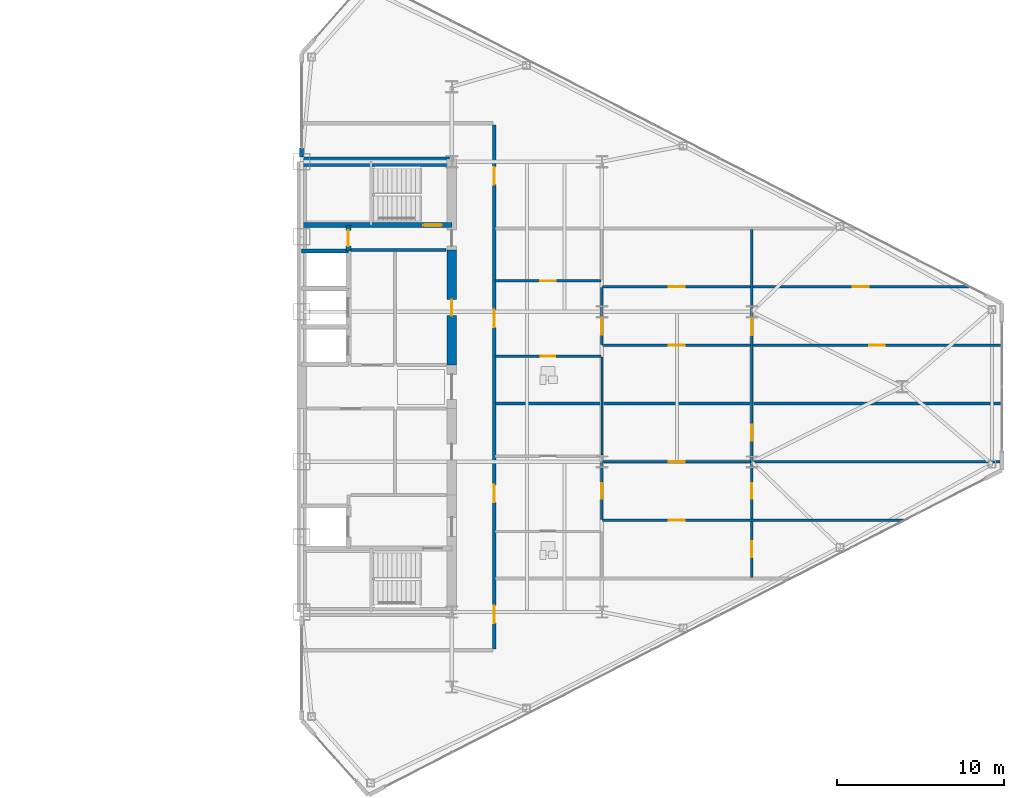
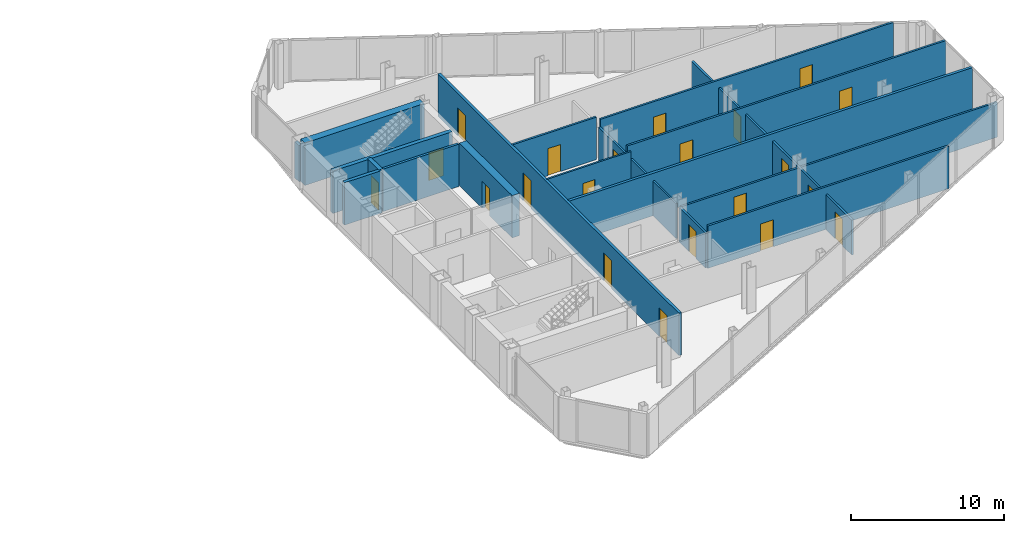
# One storey, part 19 of 23: 21 doors, 19 walls, 21 openings.
"""IFC4 building model written with IfcOpenShell, lengths in metres."""

from ifc_helpers import new_model, si_unit, direction, frame, frame_2d, origin, place, context, subcontext, project, spatial, rectangle, extrude, source, transform, mapped, material, layer, layer_set, type_object, type_shapes, element, fill, save


model = new_model("IFC4")

# Units and contexts
model_context = context("Model", 3, precision=1e-05, world=origin(), true_north=direction((0.0, 1.0)))
body_context = subcontext(model_context, "Body", "Model", "MODEL_VIEW")
ifc_project = project(units=[si_unit("LENGTHUNIT", "METRE"), si_unit("AREAUNIT", "SQUARE_METRE"), si_unit("VOLUMEUNIT", "CUBIC_METRE"), si_unit("PLANEANGLEUNIT", "RADIAN"), si_unit("MASSUNIT", "GRAM", prefix="KILO")], contexts=[model_context])

# Site, building, storey
site_placement = place(None, origin())
site = spatial("IfcSite", under=ifc_project, at=site_placement, CompositionType="ELEMENT")
building_placement = place(site_placement, origin())
building = spatial("IfcBuilding", under=site, at=building_placement, Name="Seokmaru Belvedere", CompositionType="ELEMENT")
storey_placement = place(building_placement, frame((0.0, 0.0, 144.0)))
storey = spatial("IfcBuildingStorey", under=building, at=storey_placement, Name="L38", CompositionType="ELEMENT", Elevation=144.0)

# Wall, opening, door
ifc_material_1 = material(Name="Fire-Rated Gypsum Shaftwall")
ifc_layer_1 = layer(ifc_material_1, 0.14990234375)
ifc_layer_set_1 = layer_set([ifc_layer_1], Name="Fire-Rated Gypsum Shaftwall")
wall_type_1 = type_object("IfcWallType", Name="Apartment Fire-Acoustic Room Partition 150", PredefinedType="PARTITIONING", material=ifc_layer_set_1)
wall_1_placement = place(storey_placement, frame((45.550048828125, -8.0, 0.0), z_axis=(0.0, 0.0, 1.0), x_axis=(1.0, 0.0, 0.0)))
wall_1 = element("IfcWall", 1, at=wall_1_placement, inside=storey, type_object=wall_type_1, Name="L38 Interior Partition 011", PredefinedType="PARTITIONING", context=body_context, shape_type="SweptSolid", body=[
    extrude(rectangle(XDim=18.138916015625, YDim=0.14990234375, at=frame_2d((9.0693359375, 0.0))), origin(), (0.0, 0.0, 1.0), 3.3798828125),
])
opening_1_placement = place(wall_1_placement, frame((3.97509765625, 0.0, 0.0)))
opening_1 = element("IfcOpeningElement", 2, at=opening_1_placement, cuts=wall_1, Name="Opening D05", PredefinedType="OPENING", context=body_context, shape_type="SweptSolid", body=[
    extrude(rectangle(XDim=0.949951171875, YDim=2.14990234375, at=frame_2d((0.47509765625, 1.074951171875))), frame((0.0, 0.0849609375, 0.0), z_axis=(0.0, -1.0, 0.0), x_axis=(1.0, 0.0, 0.0)), (0.0, 0.0, 1.0), 0.169921875),
])
ifc_material_2 = material(Name="Engineered White Oak Timber", Category="wood")
door_type_1 = type_object("IfcDoorType", Name="Apartment Interior Fire-Rated Oak Door 950x2150", OperationType="NOTDEFINED", PredefinedType="DOOR", material=ifc_material_2)
shared_shape_1 = source(origin(), body_context, "Body", "SweptSolid", [
    extrude(rectangle(XDim=0.949951171875, YDim=2.14990234375, at=frame_2d((0.47509765625, 1.074951171875))), frame((0.0, 0.02490234375, 0.0), z_axis=(0.0, -1.0, 0.0), x_axis=(1.0, 0.0, 0.0)), (0.0, 0.0, 1.0), 0.050048828125),
])
type_shapes(door_type_1, [shared_shape_1])
door_1_placement = place(opening_1_placement, origin())
door_1 = element("IfcDoor", 3, at=door_1_placement, inside=storey, type_object=door_type_1, Name="L38 Interior Door 042", OperationType="SINGLE_SWING_RIGHT", OverallHeight=2.14990234375, OverallWidth=0.949951171875, PredefinedType="DOOR", context=body_context, shape_type="MappedRepresentation", body=[
    mapped(shared_shape_1, transform((0.0, 0.0, 0.0), scale=1.0)),
])
fill(opening_1, door_1)

wall_2_placement = place(storey_placement, frame((45.550048828125, -4.5, 0.0), z_axis=(0.0, 0.0, 1.0), x_axis=(1.0, 0.0, 0.0)))
wall_2 = element("IfcWall", 4, at=wall_2_placement, inside=storey, type_object=wall_type_1, Name="L38 Interior Partition 013", PredefinedType="PARTITIONING", context=body_context, shape_type="SweptSolid", body=[
    extrude(rectangle(XDim=23.824951171875, YDim=0.14990234375, at=frame_2d((11.91259765625, 0.0))), origin(), (0.0, 0.0, 1.0), 2.780029296875),
])
opening_2_placement = place(wall_2_placement, frame((3.97509765625, 0.0, 0.0)))
opening_2 = element("IfcOpeningElement", 5, at=opening_2_placement, cuts=wall_2, Name="Opening D05", PredefinedType="OPENING", context=body_context, shape_type="SweptSolid", body=[
    extrude(rectangle(XDim=0.949951171875, YDim=2.14990234375, at=frame_2d((0.47509765625, 1.074951171875))), frame((0.0, 0.0849609375, 0.0), z_axis=(0.0, -1.0, 0.0), x_axis=(1.0, 0.0, 0.0)), (0.0, 0.0, 1.0), 0.169921875),
])
door_2_placement = place(opening_2_placement, origin())
door_2 = element("IfcDoor", 6, at=door_2_placement, inside=storey, type_object=door_type_1, Name="L38 Interior Door 043", OperationType="SINGLE_SWING_LEFT", OverallHeight=2.14990234375, OverallWidth=0.949951171875, PredefinedType="DOOR", context=body_context, shape_type="MappedRepresentation", body=[
    mapped(shared_shape_1, transform((0.0, 0.0, 0.0), scale=1.0)),
])
fill(opening_2, door_2)

# Wall, openings, doors
wall_3_placement = place(storey_placement, frame((45.550048828125, 2.5, 0.0), z_axis=(0.0, 0.0, 1.0), x_axis=(1.0, 0.0, 0.0)))
wall_3 = element("IfcWall", 7, at=wall_3_placement, inside=storey, type_object=wall_type_1, Name="L38 Interior Partition 020", PredefinedType="PARTITIONING", context=body_context, shape_type="SweptSolid", body=[
    extrude(rectangle(XDim=23.98486328125, YDim=0.14990234375, at=frame_2d((11.992431640625, 0.0))), origin(), (0.0, 0.0, 1.0), 3.3798828125),
])
opening_3_placement = place(wall_3_placement, frame((3.97509765625, 0.0, 0.0)))
opening_3 = element("IfcOpeningElement", 8, at=opening_3_placement, cuts=wall_3, Name="Opening D05", PredefinedType="OPENING", context=body_context, shape_type="SweptSolid", body=[
    extrude(rectangle(XDim=0.949951171875, YDim=2.14990234375, at=frame_2d((0.47509765625, 1.074951171875))), frame((0.0, 0.0849609375, 0.0), z_axis=(0.0, -1.0, 0.0), x_axis=(1.0, 0.0, 0.0)), (0.0, 0.0, 1.0), 0.169921875),
])
opening_4_placement = place(wall_3_placement, frame((15.97509765625, 0.0, 0.0)))
opening_4 = element("IfcOpeningElement", 9, at=opening_4_placement, cuts=wall_3, Name="Opening D05", PredefinedType="OPENING", context=body_context, shape_type="SweptSolid", body=[
    extrude(rectangle(XDim=0.949951171875, YDim=2.14990234375, at=frame_2d((0.47509765625, 1.074951171875))), frame((0.0, 0.0849609375, 0.0), z_axis=(0.0, -1.0, 0.0), x_axis=(1.0, 0.0, 0.0)), (0.0, 0.0, 1.0), 0.169921875),
])
door_3_placement = place(opening_3_placement, origin())
door_3 = element("IfcDoor", 10, at=door_3_placement, inside=storey, type_object=door_type_1, Name="L38 Interior Door 051", OperationType="SINGLE_SWING_RIGHT", OverallHeight=2.14990234375, OverallWidth=0.949951171875, PredefinedType="DOOR", context=body_context, shape_type="MappedRepresentation", body=[
    mapped(shared_shape_1, transform((0.0, 0.0, 0.0), scale=1.0)),
])
fill(opening_3, door_3)
door_4_placement = place(opening_4_placement, origin())
door_4 = element("IfcDoor", 11, at=door_4_placement, inside=storey, type_object=door_type_1, Name="L38 Interior Door 053", OperationType="SINGLE_SWING_LEFT", OverallHeight=2.14990234375, OverallWidth=0.949951171875, PredefinedType="DOOR", context=body_context, shape_type="MappedRepresentation", body=[
    mapped(shared_shape_1, transform((0.0, 0.0, 0.0), scale=1.0)),
])
fill(opening_4, door_4)

wall_4_placement = place(storey_placement, frame((45.550048828125, 6.0, 0.0), z_axis=(0.0, 0.0, 1.0), x_axis=(1.0, 0.0, 0.0)))
wall_4 = element("IfcWall", 12, at=wall_4_placement, inside=storey, type_object=wall_type_1, Name="L38 Interior Partition 023", PredefinedType="PARTITIONING", context=body_context, shape_type="SweptSolid", body=[
    extrude(rectangle(XDim=22.035888671875, YDim=0.14990234375, at=frame_2d((11.01806640625, 0.0))), origin(), (0.0, 0.0, 1.0), 3.3798828125),
])
opening_5_placement = place(wall_4_placement, frame((3.97509765625, 0.0, 0.0)))
opening_5 = element("IfcOpeningElement", 13, at=opening_5_placement, cuts=wall_4, Name="Opening D05", PredefinedType="OPENING", context=body_context, shape_type="SweptSolid", body=[
    extrude(rectangle(XDim=0.949951171875, YDim=2.14990234375, at=frame_2d((0.47509765625, 1.074951171875))), frame((0.0, 0.0849609375, 0.0), z_axis=(0.0, -1.0, 0.0), x_axis=(1.0, 0.0, 0.0)), (0.0, 0.0, 1.0), 0.169921875),
])
opening_6_placement = place(wall_4_placement, frame((15.000732421875, 0.0, 0.0)))
opening_6 = element("IfcOpeningElement", 14, at=opening_6_placement, cuts=wall_4, Name="Opening D05", PredefinedType="OPENING", context=body_context, shape_type="SweptSolid", body=[
    extrude(rectangle(XDim=0.949951171875, YDim=2.14990234375, at=frame_2d((0.47509765625, 1.074951171875))), frame((0.0, 0.0849609375, 0.0), z_axis=(0.0, -1.0, 0.0), x_axis=(1.0, 0.0, 0.0)), (0.0, 0.0, 1.0), 0.169921875),
])
door_5_placement = place(opening_5_placement, origin())
door_5 = element("IfcDoor", 15, at=door_5_placement, inside=storey, type_object=door_type_1, Name="L38 Interior Door 052", OperationType="SINGLE_SWING_LEFT", OverallHeight=2.14990234375, OverallWidth=0.949951171875, PredefinedType="DOOR", context=body_context, shape_type="MappedRepresentation", body=[
    mapped(shared_shape_1, transform((0.0, 0.0, 0.0), scale=1.0)),
])
fill(opening_5, door_5)
door_6_placement = place(opening_6_placement, origin())
door_6 = element("IfcDoor", 16, at=door_6_placement, inside=storey, type_object=door_type_1, Name="L38 Interior Door 054", OperationType="SINGLE_SWING_LEFT", OverallHeight=2.14990234375, OverallWidth=0.949951171875, PredefinedType="DOOR", context=body_context, shape_type="MappedRepresentation", body=[
    mapped(shared_shape_1, transform((0.0, 0.0, 0.0), scale=1.0)),
])
fill(opening_6, door_6)

# Wall, opening, door
wall_5_placement = place(storey_placement, frame((39.10009765625, 6.35009765625, 0.0), z_axis=(0.0, 0.0, 1.0), x_axis=(1.0, 0.0, 0.0)))
wall_5 = element("IfcWall", 17, at=wall_5_placement, inside=storey, type_object=wall_type_1, Name="L38 Interior Partition 024", PredefinedType="PARTITIONING", context=body_context, shape_type="SweptSolid", body=[
    extrude(rectangle(XDim=6.349853515625, YDim=0.14990234375, at=frame_2d((3.1748046875, 0.0))), origin(), (0.0, 0.0, 1.0), 3.3798828125),
])
opening_7_placement = place(wall_5_placement, frame((2.699951171875, 0.0, 0.0)))
opening_7 = element("IfcOpeningElement", 18, at=opening_7_placement, cuts=wall_5, Name="Opening D05", PredefinedType="OPENING", context=body_context, shape_type="SweptSolid", body=[
    extrude(rectangle(XDim=0.949951171875, YDim=2.14990234375, at=frame_2d((0.47509765625, 1.074951171875))), frame((0.0, 0.0849609375, 0.0), z_axis=(0.0, -1.0, 0.0), x_axis=(1.0, 0.0, 0.0)), (0.0, 0.0, 1.0), 0.169921875),
])
door_7_placement = place(opening_7_placement, origin())
door_7 = element("IfcDoor", 19, at=door_7_placement, inside=storey, type_object=door_type_1, Name="L38 Interior Door 048", OperationType="SINGLE_SWING_RIGHT", OverallHeight=2.14990234375, OverallWidth=0.949951171875, PredefinedType="DOOR", context=body_context, shape_type="MappedRepresentation", body=[
    mapped(shared_shape_1, transform((0.0, 0.0, 0.0), scale=1.0)),
])
fill(opening_7, door_7)

wall_6_placement = place(storey_placement, frame((45.5, -7.949951171875, 0.0), z_axis=(0.0, 0.0, 1.0), x_axis=(0.0, 1.0, 0.0)))
wall_6 = element("IfcWall", 20, at=wall_6_placement, inside=storey, type_object=wall_type_1, Name="L38 Interior Partition 045", PredefinedType="PARTITIONING", context=body_context, shape_type="SweptSolid", body=[
    extrude(rectangle(XDim=3.39990234375, YDim=0.14990234375, at=frame_2d((1.699951171875, 0.0))), origin(), (0.0, 0.0, 1.0), 2.780029296875),
])
opening_8_placement = place(wall_6_placement, frame((1.22509765625, 0.0, 0.0)))
opening_8 = element("IfcOpeningElement", 21, at=opening_8_placement, cuts=wall_6, Name="Opening D05", PredefinedType="OPENING", context=body_context, shape_type="SweptSolid", body=[
    extrude(rectangle(XDim=0.949951171875, YDim=2.14990234375, at=frame_2d((0.47509765625, 1.074951171875))), frame((0.0, 0.0849609375, 0.0), z_axis=(0.0, -1.0, 0.0), x_axis=(1.0, 0.0, 0.0)), (0.0, 0.0, 1.0), 0.169921875),
])
door_8_placement = place(opening_8_placement, origin())
door_8 = element("IfcDoor", 22, at=door_8_placement, inside=storey, type_object=door_type_1, Name="L38 Interior Door 040", OperationType="SINGLE_SWING_LEFT", OverallHeight=2.14990234375, OverallWidth=0.949951171875, PredefinedType="DOOR", context=body_context, shape_type="MappedRepresentation", body=[
    mapped(shared_shape_1, transform((0.0, 0.0, 0.0), scale=1.0)),
])
fill(opening_8, door_8)

wall_7_placement = place(storey_placement, frame((45.5, 2.550048828125, 0.0), z_axis=(0.0, 0.0, 1.0), x_axis=(0.0, 1.0, 0.0)))
wall_7 = element("IfcWall", 23, at=wall_7_placement, inside=storey, type_object=wall_type_1, Name="L38 Interior Partition 047", PredefinedType="PARTITIONING", context=body_context, shape_type="SweptSolid", body=[
    extrude(rectangle(XDim=3.39990234375, YDim=0.14990234375, at=frame_2d((1.699951171875, 0.0))), origin(), (0.0, 0.0, 1.0), 2.780029296875),
])
opening_9_placement = place(wall_7_placement, frame((0.5859375, 0.0, 0.0)))
opening_9 = element("IfcOpeningElement", 24, at=opening_9_placement, cuts=wall_7, Name="Opening D05", PredefinedType="OPENING", context=body_context, shape_type="SweptSolid", body=[
    extrude(rectangle(XDim=0.949951171875, YDim=2.14990234375, at=frame_2d((0.47509765625, 1.074951171875))), frame((0.0, 0.0849609375, 0.0), z_axis=(0.0, -1.0, 0.0), x_axis=(1.0, 0.0, 0.0)), (0.0, 0.0, 1.0), 0.169921875),
])
door_9_placement = place(opening_9_placement, origin())
door_9 = element("IfcDoor", 25, at=door_9_placement, inside=storey, type_object=door_type_1, Name="L38 Interior Door 049", OperationType="SINGLE_SWING_LEFT", OverallHeight=2.14990234375, OverallWidth=0.949951171875, PredefinedType="DOOR", context=body_context, shape_type="MappedRepresentation", body=[
    mapped(shared_shape_1, transform((0.0, 0.0, 0.0), scale=1.0)),
])
fill(opening_9, door_9)

# Wall, openings, doors
wall_8_placement = place(storey_placement, frame((54.5, -11.449951171875, 0.0), z_axis=(0.0, 0.0, 1.0), x_axis=(0.0, 1.0, 0.0)))
wall_8 = element("IfcWall", 26, at=wall_8_placement, inside=storey, type_object=wall_type_1, Name="L38 Interior Partition 049", PredefinedType="PARTITIONING", context=body_context, shape_type="SweptSolid", body=[
    extrude(rectangle(XDim=20.89990234375, YDim=0.14990234375, at=frame_2d((10.449951171875, 0.0))), origin(), (0.0, 0.0, 1.0), 2.780029296875),
])
opening_10_placement = place(wall_8_placement, frame((4.72509765625, 0.0, 0.0)))
opening_10 = element("IfcOpeningElement", 27, at=opening_10_placement, cuts=wall_8, Name="Opening D05", PredefinedType="OPENING", context=body_context, shape_type="SweptSolid", body=[
    extrude(rectangle(XDim=0.949951171875, YDim=2.14990234375, at=frame_2d((0.47509765625, 1.074951171875))), frame((0.0, 0.0849609375, 0.0), z_axis=(0.0, -1.0, 0.0), x_axis=(1.0, 0.0, 0.0)), (0.0, 0.0, 1.0), 0.169921875),
])
opening_11_placement = place(wall_8_placement, frame((1.22509765625, 0.0, 0.0)))
opening_11 = element("IfcOpeningElement", 28, at=opening_11_placement, cuts=wall_8, Name="Opening D05", PredefinedType="OPENING", context=body_context, shape_type="SweptSolid", body=[
    extrude(rectangle(XDim=0.949951171875, YDim=2.14990234375, at=frame_2d((0.47509765625, 1.074951171875))), frame((0.0, 0.0849609375, 0.0), z_axis=(0.0, -1.0, 0.0), x_axis=(1.0, 0.0, 0.0)), (0.0, 0.0, 1.0), 0.169921875),
])
opening_12_placement = place(wall_8_placement, frame((8.22509765625, 0.0, 0.0)))
opening_12 = element("IfcOpeningElement", 29, at=opening_12_placement, cuts=wall_8, Name="Opening D05", PredefinedType="OPENING", context=body_context, shape_type="SweptSolid", body=[
    extrude(rectangle(XDim=0.949951171875, YDim=2.14990234375, at=frame_2d((0.47509765625, 1.074951171875))), frame((0.0, 0.0849609375, 0.0), z_axis=(0.0, -1.0, 0.0), x_axis=(1.0, 0.0, 0.0)), (0.0, 0.0, 1.0), 0.169921875),
])
opening_13_placement = place(wall_8_placement, frame((14.55224609375, 0.0, 0.0)))
opening_13 = element("IfcOpeningElement", 30, at=opening_13_placement, cuts=wall_8, Name="Opening D05", PredefinedType="OPENING", context=body_context, shape_type="SweptSolid", body=[
    extrude(rectangle(XDim=0.949951171875, YDim=2.14990234375, at=frame_2d((0.47509765625, 1.074951171875))), frame((0.0, 0.0849609375, 0.0), z_axis=(0.0, -1.0, 0.0), x_axis=(1.0, 0.0, 0.0)), (0.0, 0.0, 1.0), 0.169921875),
])
door_10_placement = place(opening_10_placement, origin())
door_10 = element("IfcDoor", 31, at=door_10_placement, inside=storey, type_object=door_type_1, Name="L38 Interior Door 041", OperationType="SINGLE_SWING_RIGHT", OverallHeight=2.14990234375, OverallWidth=0.949951171875, PredefinedType="DOOR", context=body_context, shape_type="MappedRepresentation", body=[
    mapped(shared_shape_1, transform((0.0, 0.0, 0.0), scale=1.0)),
])
fill(opening_10, door_10)
door_11_placement = place(opening_11_placement, origin())
door_11 = element("IfcDoor", 32, at=door_11_placement, inside=storey, type_object=door_type_1, Name="L38 Interior Door 044", OperationType="SINGLE_SWING_LEFT", OverallHeight=2.14990234375, OverallWidth=0.949951171875, PredefinedType="DOOR", context=body_context, shape_type="MappedRepresentation", body=[
    mapped(shared_shape_1, transform((0.0, 0.0, 0.0), scale=1.0)),
])
fill(opening_11, door_11)
door_12_placement = place(opening_12_placement, origin())
door_12 = element("IfcDoor", 33, at=door_12_placement, inside=storey, type_object=door_type_1, Name="L38 Interior Door 045", OperationType="SINGLE_SWING_RIGHT", OverallHeight=2.14990234375, OverallWidth=0.949951171875, PredefinedType="DOOR", context=body_context, shape_type="MappedRepresentation", body=[
    mapped(shared_shape_1, transform((0.0, 0.0, 0.0), scale=1.0)),
])
fill(opening_12, door_12)
door_13_placement = place(opening_13_placement, origin())
door_13 = element("IfcDoor", 34, at=door_13_placement, inside=storey, type_object=door_type_1, Name="L38 Interior Door 050", OperationType="SINGLE_SWING_RIGHT", OverallHeight=2.14990234375, OverallWidth=0.949951171875, PredefinedType="DOOR", context=body_context, shape_type="MappedRepresentation", body=[
    mapped(shared_shape_1, transform((0.0, 0.0, 0.0), scale=1.0)),
])
fill(opening_13, door_13)

# Walls
ifc_layer_2 = layer(ifc_material_1, 0.179931640625)
ifc_layer_set_2 = layer_set([ifc_layer_2], Name="Fire-Rated Gypsum Shaftwall")
wall_type_2 = type_object("IfcWallType", Name="Core Service Fire Partition 180", PredefinedType="PARTITIONING", material=ifc_layer_set_2)
wall_9_placement = place(storey_placement, frame((30.449951171875, 8.199951171875, 0.0), z_axis=(0.0, 0.0, 1.0), x_axis=(1.0, 0.0, 0.0)))
element("IfcWall", 35, at=wall_9_placement, inside=storey, type_object=wall_type_2, Name="L38 East Smokeproof Vestibule Partition", PredefinedType="PARTITIONING", context=body_context, shape_type="SweptSolid", body=[
    extrude(rectangle(XDim=5.699951171875, YDim=0.179931640625, at=frame_2d((2.85009765625, 0.0))), origin(), (0.0, 0.0, 1.0), 3.3798828125),
])
ifc_material_3 = material(Name="Concrete C50 (50 MPa)", Category="concrete")
ifc_layer_3 = layer(ifc_material_3, 0.25)
ifc_layer_set_3 = layer_set([ifc_layer_3], Name="Concrete C50 (50 MPa)")
wall_type_3 = type_object("IfcWallType", Name="Hoistway Transverse Concrete Divider Wall 250", PredefinedType="SHEAR", material=ifc_layer_set_3)
wall_10_placement = place(storey_placement, frame((27.5, 8.14990234375, 0.0), z_axis=(0.0, 0.0, 1.0), x_axis=(1.0, 0.0, 0.0)))
element("IfcWall", 36, at=wall_10_placement, inside=storey, type_object=wall_type_3, Name="L38 East Hoistway Divider Core Wall 5", PredefinedType="SHEAR", context=body_context, shape_type="SweptSolid", body=[
    extrude(rectangle(XDim=2.800048828125, YDim=0.25, at=frame_2d((1.39990234375, 0.0))), origin(), (0.0, 0.0, 1.0), 3.3798828125),
])
ifc_layer_4 = layer(ifc_material_1, 0.199951171875)
ifc_layer_set_4 = layer_set([ifc_layer_4], Name="Fire-Rated Gypsum Shaftwall")
wall_type_4 = type_object("IfcWallType", Name="Inter-Tenancy Fire Compartment Partition 200", PredefinedType="PARTITIONING", material=ifc_layer_set_4)
wall_11_placement = place(storey_placement, frame((39.1298828125, -1.0, 0.0), z_axis=(0.0, 0.0, 1.0), x_axis=(1.0, 0.0, 0.0)))
element("IfcWall", 37, at=wall_11_placement, inside=storey, type_object=wall_type_4, Name="L38 Interior Partition 017", PredefinedType="PARTITIONING", context=body_context, shape_type="SweptSolid", body=[
    extrude(rectangle(XDim=30.375, YDim=0.199951171875, at=frame_2d((15.1875, 0.0))), origin(), (0.0, 0.0, 1.0), 3.3798828125),
])

# Wall, openings, doors
wall_12_placement = place(storey_placement, frame((39.050048828125, -15.715087890625, 0.0), z_axis=(0.0, 0.0, 1.0), x_axis=(0.0, 1.0, 0.0)))
wall_12 = element("IfcWall", 38, at=wall_12_placement, inside=storey, type_object=wall_type_4, Name="L38 Interior Partition 043", PredefinedType="PARTITIONING", context=body_context, shape_type="SweptSolid", body=[
    extrude(rectangle(XDim=31.43017578125, YDim=0.199951171875, at=frame_2d((15.715087890625, 0.0))), origin(), (0.0, 0.0, 1.0), 3.3798828125),
])
opening_14_placement = place(wall_12_placement, frame((1.5400390625, 0.0, 0.0)))
opening_14 = element("IfcOpeningElement", 39, at=opening_14_placement, cuts=wall_12, Name="Opening D03", PredefinedType="OPENING", context=body_context, shape_type="SweptSolid", body=[
    extrude(rectangle(XDim=1.050048828125, YDim=2.25, at=frame_2d((0.52490234375, 1.125))), frame((0.0, 0.10986328125, 0.0), z_axis=(0.0, -1.0, 0.0), x_axis=(1.0, 0.0, 0.0)), (0.0, 0.0, 1.0), 0.219970703125),
])
opening_15_placement = place(wall_12_placement, frame((8.782470703125, 0.0, 0.0)))
opening_15 = element("IfcOpeningElement", 40, at=opening_15_placement, cuts=wall_12, Name="Opening D03", PredefinedType="OPENING", context=body_context, shape_type="SweptSolid", body=[
    extrude(rectangle(XDim=1.050048828125, YDim=2.25, at=frame_2d((0.52490234375, 1.125))), frame((0.0, 0.10986328125, 0.0), z_axis=(0.0, -1.0, 0.0), x_axis=(1.0, 0.0, 0.0)), (0.0, 0.0, 1.0), 0.219970703125),
])
opening_16_placement = place(wall_12_placement, frame((19.282470703125, 0.0, 0.0)))
opening_16 = element("IfcOpeningElement", 41, at=opening_16_placement, cuts=wall_12, Name="Opening D03", PredefinedType="OPENING", context=body_context, shape_type="SweptSolid", body=[
    extrude(rectangle(XDim=1.050048828125, YDim=2.25, at=frame_2d((0.52490234375, 1.125))), frame((0.0, 0.10986328125, 0.0), z_axis=(0.0, -1.0, 0.0), x_axis=(1.0, 0.0, 0.0)), (0.0, 0.0, 1.0), 0.219970703125),
])
opening_17_placement = place(wall_12_placement, frame((27.840087890625, 0.0, 0.0)))
opening_17 = element("IfcOpeningElement", 42, at=opening_17_placement, cuts=wall_12, Name="Opening D03", PredefinedType="OPENING", context=body_context, shape_type="SweptSolid", body=[
    extrude(rectangle(XDim=1.050048828125, YDim=2.25, at=frame_2d((0.52490234375, 1.125))), frame((0.0, 0.10986328125, 0.0), z_axis=(0.0, -1.0, 0.0), x_axis=(1.0, 0.0, 0.0)), (0.0, 0.0, 1.0), 0.219970703125),
])
ifc_material_4 = material(Name="Fire-Rated Steel Leaf", Category="steel")
door_type_2 = type_object("IfcDoorType", Name="Apartment Entrance Fire Door 1050x2250", OperationType="NOTDEFINED", PredefinedType="DOOR", material=ifc_material_4)
shared_shape_2 = source(origin(), body_context, "Body", "SweptSolid", [
    extrude(rectangle(XDim=1.050048828125, YDim=2.25, at=frame_2d((0.52490234375, 1.125))), frame((0.0, 0.02490234375, 0.0), z_axis=(0.0, -1.0, 0.0), x_axis=(1.0, 0.0, 0.0)), (0.0, 0.0, 1.0), 0.050048828125),
])
type_shapes(door_type_2, [shared_shape_2])
door_14_placement = place(opening_14_placement, origin())
door_14 = element("IfcDoor", 43, at=door_14_placement, inside=storey, type_object=door_type_2, Name="L38 Interior Door 036", OperationType="SINGLE_SWING_LEFT", OverallHeight=2.25, OverallWidth=1.050048828125, PredefinedType="DOOR", context=body_context, shape_type="MappedRepresentation", body=[
    mapped(shared_shape_2, transform((0.0, 0.0, 0.0), scale=1.0)),
])
fill(opening_14, door_14)
door_15_placement = place(opening_15_placement, origin())
door_15 = element("IfcDoor", 44, at=door_15_placement, inside=storey, type_object=door_type_2, Name="L38 Interior Door 037", OperationType="SINGLE_SWING_RIGHT", OverallHeight=2.25, OverallWidth=1.050048828125, PredefinedType="DOOR", context=body_context, shape_type="MappedRepresentation", body=[
    mapped(shared_shape_2, transform((0.0, 0.0, 0.0), scale=1.0)),
])
fill(opening_15, door_15)
door_16_placement = place(opening_16_placement, origin())
door_16 = element("IfcDoor", 45, at=door_16_placement, inside=storey, type_object=door_type_2, Name="L38 Interior Door 046", OperationType="SINGLE_SWING_LEFT", OverallHeight=2.25, OverallWidth=1.050048828125, PredefinedType="DOOR", context=body_context, shape_type="MappedRepresentation", body=[
    mapped(shared_shape_2, transform((0.0, 0.0, 0.0), scale=1.0)),
])
fill(opening_16, door_16)
door_17_placement = place(opening_17_placement, origin())
door_17 = element("IfcDoor", 46, at=door_17_placement, inside=storey, type_object=door_type_2, Name="L38 Interior Door 055", OperationType="SINGLE_SWING_RIGHT", OverallHeight=2.25, OverallWidth=1.050048828125, PredefinedType="DOOR", context=body_context, shape_type="MappedRepresentation", body=[
    mapped(shared_shape_2, transform((0.0, 0.0, 0.0), scale=1.0)),
])
fill(opening_17, door_17)

# Wall, opening, door
ifc_layer_5 = layer(ifc_material_3, 0.300048828125)
ifc_layer_set_5 = layer_set([ifc_layer_5], Name="Concrete C50 (50 MPa)")
wall_type_5 = type_object("IfcWallType", Name="Internal Core Stair and Hoistway Wall 300", PredefinedType="SHEAR", material=ifc_layer_set_5)
wall_13_placement = place(storey_placement, frame((27.5, 9.699951171875, 0.0), z_axis=(0.0, 0.0, 1.0), x_axis=(1.0, 0.0, 0.0)))
wall_13 = element("IfcWall", 47, at=wall_13_placement, inside=storey, type_object=wall_type_5, Name="L38 East Stair ST-2 Enclosure Wall", PredefinedType="SHEAR", context=body_context, shape_type="SweptSolid", body=[
    extrude(rectangle(XDim=9.0, YDim=0.300048828125, at=frame_2d((4.5, 0.0))), origin(), (0.0, 0.0, 1.0), 3.3798828125),
])
opening_18_placement = place(wall_13_placement, frame((7.300048828125, 0.0, 0.0)))
opening_18 = element("IfcOpeningElement", 48, at=opening_18_placement, cuts=wall_13, Name="Opening D01", PredefinedType="OPENING", context=body_context, shape_type="SweptSolid", body=[
    extrude(rectangle(XDim=1.10009765625, YDim=2.199951171875, at=frame_2d((0.550048828125, 1.10009765625))), frame((0.0, 0.16015625, 0.0), z_axis=(0.0, -1.0, 0.0), x_axis=(1.0, 0.0, 0.0)), (0.0, 0.0, 1.0), 0.320068359375),
])
door_type_3 = type_object("IfcDoorType", Name="Special Escape Stair Smokeproof Fire Door 1100x2200", OperationType="NOTDEFINED", PredefinedType="DOOR", material=ifc_material_4)
shared_shape_3 = source(origin(), body_context, "Body", "SweptSolid", [
    extrude(rectangle(XDim=1.10009765625, YDim=2.199951171875, at=frame_2d((0.550048828125, 1.10009765625))), frame((0.0, 0.02490234375, 0.0), z_axis=(0.0, -1.0, 0.0), x_axis=(1.0, 0.0, 0.0)), (0.0, 0.0, 1.0), 0.050048828125),
])
type_shapes(door_type_3, [shared_shape_3])
door_18_placement = place(opening_18_placement, origin())
door_18 = element("IfcDoor", 49, at=door_18_placement, inside=storey, type_object=door_type_3, Name="L38 East Special Escape Stair ST-2 Door", OperationType="SINGLE_SWING_LEFT", OverallHeight=2.199951171875, OverallWidth=1.10009765625, PredefinedType="DOOR", context=body_context, shape_type="MappedRepresentation", body=[
    mapped(shared_shape_3, transform((0.0, 0.0, 0.0), scale=1.0)),
])
fill(opening_18, door_18)

wall_14_placement = place(storey_placement, frame((30.300048828125, 8.14990234375, 0.0), z_axis=(0.0, 0.0, 1.0), x_axis=(0.0, 1.0, 0.0)))
wall_14 = element("IfcWall", 50, at=wall_14_placement, inside=storey, type_object=wall_type_5, Name="L38 East Electrical Riser Front Wall", PredefinedType="SHEAR", context=body_context, shape_type="SweptSolid", body=[
    extrude(rectangle(XDim=1.530029296875, YDim=0.300048828125, at=frame_2d((0.76513671875, 0.0))), origin(), (0.0, 0.0, 1.0), 3.3798828125),
])
opening_19_placement = place(wall_14_placement, frame((0.284912109375, 0.0, 0.0)))
opening_19 = element("IfcOpeningElement", 51, at=opening_19_placement, cuts=wall_14, Name="Opening D04", PredefinedType="OPENING", context=body_context, shape_type="SweptSolid", body=[
    extrude(rectangle(XDim=0.949951171875, YDim=2.14990234375, at=frame_2d((0.47509765625, 1.074951171875))), frame((0.0, 0.16015625, 0.0), z_axis=(0.0, -1.0, 0.0), x_axis=(1.0, 0.0, 0.0)), (0.0, 0.0, 1.0), 0.320068359375),
])
door_type_4 = type_object("IfcDoorType", Name="Core Service Room Fire Door 950x2150", OperationType="NOTDEFINED", PredefinedType="DOOR", material=ifc_material_4)
shared_shape_4 = source(origin(), body_context, "Body", "SweptSolid", [
    extrude(rectangle(XDim=0.949951171875, YDim=2.14990234375, at=frame_2d((0.47509765625, 1.074951171875))), frame((0.0, 0.02490234375, 0.0), z_axis=(0.0, -1.0, 0.0), x_axis=(1.0, 0.0, 0.0)), (0.0, 0.0, 1.0), 0.050048828125),
])
type_shapes(door_type_4, [shared_shape_4])
door_19_placement = place(opening_19_placement, origin())
door_19 = element("IfcDoor", 52, at=door_19_placement, inside=storey, type_object=door_type_4, Name="L38 East Electrical Riser Access Door", OperationType="SINGLE_SWING_RIGHT", OverallHeight=2.14990234375, OverallWidth=0.949951171875, PredefinedType="DOOR", context=body_context, shape_type="MappedRepresentation", body=[
    mapped(shared_shape_4, transform((0.0, 0.0, 0.0), scale=1.0)),
])
fill(opening_19, door_19)

# Wall
ifc_layer_6 = layer(ifc_material_3, 0.550048828125)
ifc_layer_set_6 = layer_set([ifc_layer_6], Name="Concrete C50 (50 MPa)")
wall_type_6 = type_object("IfcWallType", Name="Mid-High Reinforced Concrete Core Wall 550", PredefinedType="SHEAR", material=ifc_layer_set_6)
wall_15_placement = place(storey_placement, frame((27.5, 13.5, 0.0), z_axis=(0.0, 0.0, 1.0), x_axis=(1.0, 0.0, 0.0)))
element("IfcWall", 53, at=wall_15_placement, inside=storey, type_object=wall_type_6, Name="L38 East North Core Wall", PredefinedType="SHEAR", context=body_context, shape_type="SweptSolid", body=[
    extrude(rectangle(XDim=9.0, YDim=0.550048828125, at=frame_2d((4.5, 0.0))), origin(), (0.0, 0.0, 1.0), 3.3798828125),
])

# Wall, opening, door
wall_16_placement = place(storey_placement, frame((36.5, 1.300048828125, 0.0), z_axis=(0.0, 0.0, 1.0), x_axis=(0.0, 1.0, 0.0)))
wall_16 = element("IfcWall", 54, at=wall_16_placement, inside=storey, type_object=wall_type_6, Name="L38 East West Core Wall CS2", PredefinedType="SHEAR", context=body_context, shape_type="SweptSolid", body=[
    extrude(rectangle(XDim=6.89990234375, YDim=0.550048828125, at=frame_2d((3.449951171875, 0.0))), origin(), (0.0, 0.0, 1.0), 3.3798828125),
])
opening_20_placement = place(wall_16_placement, frame((2.97509765625, 0.0, 0.0)))
opening_20 = element("IfcOpeningElement", 55, at=opening_20_placement, cuts=wall_16, Name="Opening D04", PredefinedType="OPENING", context=body_context, shape_type="SweptSolid", body=[
    extrude(rectangle(XDim=0.949951171875, YDim=2.14990234375, at=frame_2d((0.47509765625, 1.074951171875))), frame((0.0, 0.28515625, 0.0), z_axis=(0.0, -1.0, 0.0), x_axis=(1.0, 0.0, 0.0)), (0.0, 0.0, 1.0), 0.570068359375),
])
door_20_placement = place(opening_20_placement, origin())
door_20 = element("IfcDoor", 56, at=door_20_placement, inside=storey, type_object=door_type_4, Name="L38 East Core Service Room Door 2", OperationType="SINGLE_SWING_LEFT", OverallHeight=2.14990234375, OverallWidth=0.949951171875, PredefinedType="DOOR", context=body_context, shape_type="MappedRepresentation", body=[
    mapped(shared_shape_4, transform((0.0, 0.0, 0.0), scale=1.0)),
])
fill(opening_20, door_20)

ifc_layer_7 = layer(ifc_material_1, 0.1298828125)
ifc_layer_set_7 = layer_set([ifc_layer_7], Name="Fire-Rated Gypsum Shaftwall")
wall_type_7 = type_object("IfcWallType", Name="Moisture-Resistant Fire-Rated Bathroom Partition 130", PredefinedType="PARTITIONING", material=ifc_layer_set_7)
wall_17_placement = place(storey_placement, frame((39.10009765625, 1.830078125, 0.0), z_axis=(0.0, 0.0, 1.0), x_axis=(1.0, 0.0, 0.0)))
wall_17 = element("IfcWall", 57, at=wall_17_placement, inside=storey, type_object=wall_type_7, Name="L38 Interior Partition 019", PredefinedType="PARTITIONING", context=body_context, shape_type="SweptSolid", body=[
    extrude(rectangle(XDim=6.349853515625, YDim=0.1298828125, at=frame_2d((3.1748046875, 0.0))), origin(), (0.0, 0.0, 1.0), 3.3798828125),
])
opening_21_placement = place(wall_17_placement, frame((2.735107421875, 0.0, 0.0)))
opening_21 = element("IfcOpeningElement", 58, at=opening_21_placement, cuts=wall_17, Name="Opening D06", PredefinedType="OPENING", context=body_context, shape_type="SweptSolid", body=[
    extrude(rectangle(XDim=0.8798828125, YDim=2.10009765625, at=frame_2d((0.43994140625, 1.050048828125))), frame((0.0, 0.074951171875, 0.0), z_axis=(0.0, -1.0, 0.0), x_axis=(1.0, 0.0, 0.0)), (0.0, 0.0, 1.0), 0.14990234375),
])
door_type_5 = type_object("IfcDoorType", Name="Bathroom and Restroom Fire-Rated Door 880x2100", OperationType="NOTDEFINED", PredefinedType="DOOR", material=ifc_material_2)
shared_shape_5 = source(origin(), body_context, "Body", "SweptSolid", [
    extrude(rectangle(XDim=0.8798828125, YDim=2.10009765625, at=frame_2d((0.43994140625, 1.050048828125))), frame((0.0, 0.02490234375, 0.0), z_axis=(0.0, -1.0, 0.0), x_axis=(1.0, 0.0, 0.0)), (0.0, 0.0, 1.0), 0.050048828125),
])
type_shapes(door_type_5, [shared_shape_5])
door_21_placement = place(opening_21_placement, origin())
door_21 = element("IfcDoor", 59, at=door_21_placement, inside=storey, type_object=door_type_5, Name="L38 Interior Door 047", OperationType="SINGLE_SWING_RIGHT", OverallHeight=2.10009765625, OverallWidth=0.8798828125, PredefinedType="DOOR", context=body_context, shape_type="MappedRepresentation", body=[
    mapped(shared_shape_5, transform((0.0, 0.0, 0.0), scale=1.0)),
])
fill(opening_21, door_21)

# Walls
wall_18_placement = place(storey_placement, frame((45.5, -4.097900390625, 0.0), z_axis=(0.0, 0.0, 1.0), x_axis=(0.0, 1.0, 0.0)))
element("IfcWall", 60, at=wall_18_placement, inside=storey, type_object=wall_type_7, Name="L38 Interior Partition 046", PredefinedType="PARTITIONING", context=body_context, shape_type="SweptSolid", body=[
    extrude(rectangle(XDim=5.880859375, YDim=0.1298828125, at=frame_2d((2.9404296875, 0.0))), origin(), (0.0, 0.0, 1.0), 2.780029296875),
])
ifc_material_5 = material(Name="Anodised Bronze Aluminium", Category="aluminium")
ifc_layer_8 = layer(ifc_material_5, 0.239990234375)
ifc_layer_set_8 = layer_set([ifc_layer_8], Name="Anodised Bronze Aluminium")
wall_type_8 = type_object("IfcWallType", Name="Tower Corner Spandrel Closure Wall 240", PredefinedType="SOLIDWALL", material=ifc_layer_set_8)
wall_19_placement = place(storey_placement, frame((27.5, 13.780029296875, 0.0), z_axis=(0.0, 0.0, 1.0), x_axis=(0.0, 1.0, 0.0)))
element("IfcWall", 61, at=wall_19_placement, inside=storey, type_object=wall_type_8, Name="L38 E Spine Closure Pier 2A", PredefinedType="SOLIDWALL", context=body_context, shape_type="SweptSolid", body=[
    extrude(rectangle(XDim=0.550048828125, YDim=0.239990234375, at=frame_2d((0.27490234375, 0.0))), origin(), (0.0, 0.0, 1.0), 2.8798828125),
])

save(model, "model.ifc")
